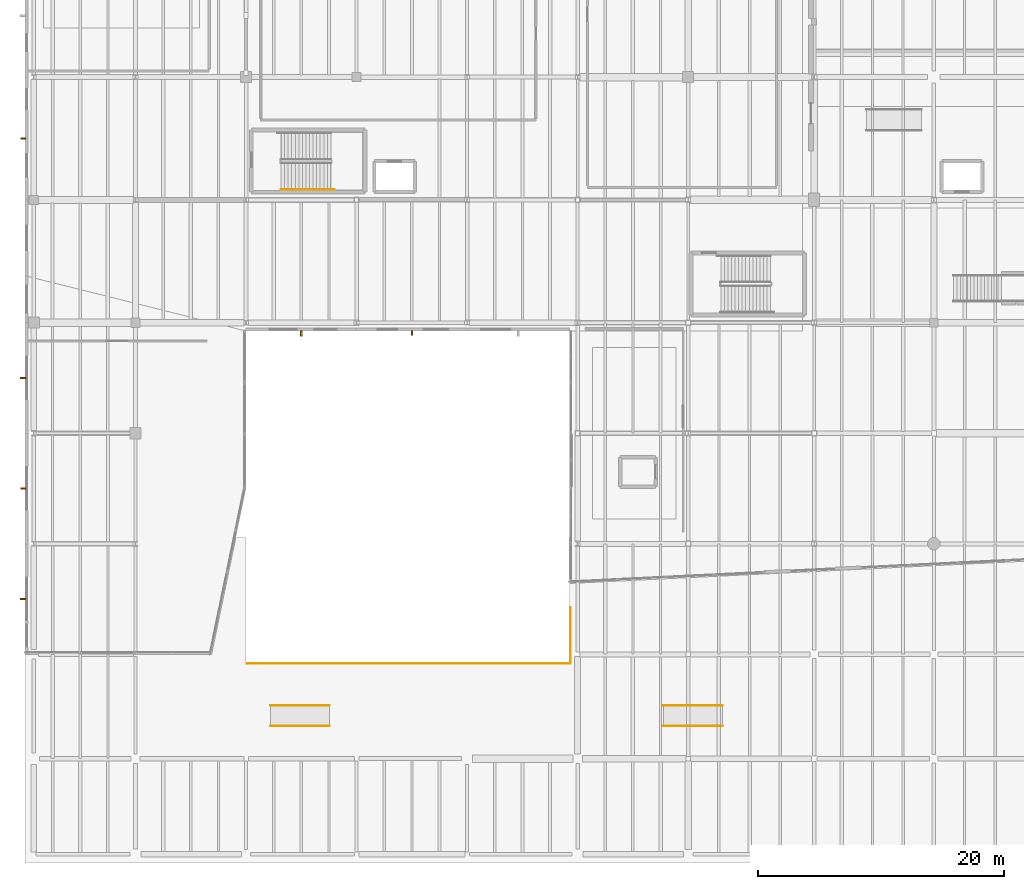
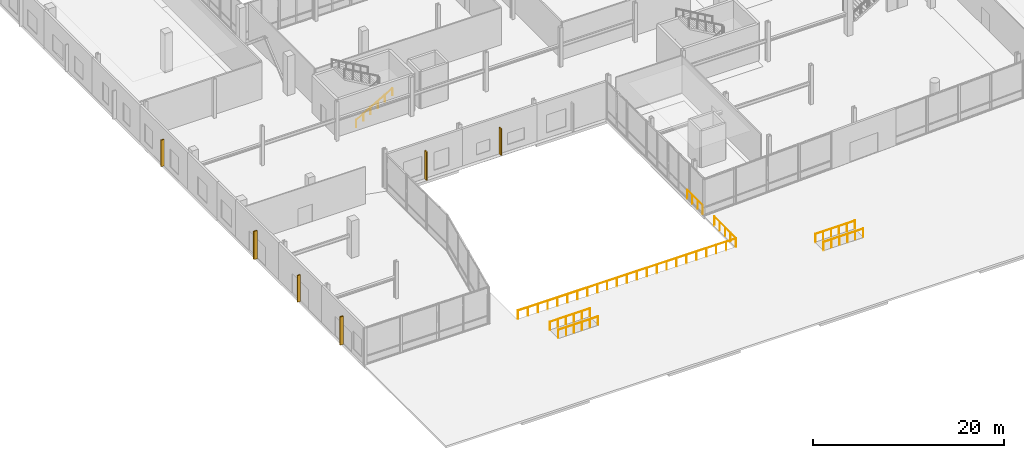
# One storey, part 77 of 88: 7 railings, 6 shading devices.
"""IFC4 building model written with IfcOpenShell, lengths in metres."""

from ifc_helpers import new_model, si_unit, direction, frame, origin, origin_2d, place, context, subcontext, project, spatial, rectangle, circle, extrude, material, type_object, element, save


model = new_model("IFC4")

# Units and contexts
model_context = context("Model", 3, precision=1e-05, world=origin(), true_north=direction((0.0, 1.0)))
body_context = subcontext(model_context, "Body", "Model", "MODEL_VIEW")
ifc_project = project(units=[si_unit("LENGTHUNIT", "METRE"), si_unit("AREAUNIT", "SQUARE_METRE"), si_unit("VOLUMEUNIT", "CUBIC_METRE"), si_unit("PLANEANGLEUNIT", "RADIAN"), si_unit("MASSUNIT", "GRAM", prefix="KILO")], contexts=[model_context])

# Site, building, storey
site_placement = place(None, origin())
site = spatial("IfcSite", under=ifc_project, at=site_placement, CompositionType="ELEMENT")
building_placement = place(site_placement, origin())
building = spatial("IfcBuilding", under=site, at=building_placement, Name="Trimount Lyric Opera House", CompositionType="ELEMENT")
storey_placement = place(building_placement, origin())
storey = spatial("IfcBuildingStorey", under=building, at=storey_placement, Name="L00", CompositionType="ELEMENT", Elevation=0.0)

# Railings
ifc_material_1 = material(Name="Brushed Stainless Steel 316", Category="steel")
railing_type_1 = type_object("IfcRailingType", Name="RL-GRD110", PredefinedType="GUARDRAIL", material=ifc_material_1)
for number, where, name in (
    (1, (20.0, 11.14990234375, 0.0), "Plaza Accessible Threshold Ramp West guard S"),
    (2, (20.0, 12.85009765625, 0.0), "Plaza Accessible Threshold Ramp West guard N"),
    (3, (52.0, 11.14990234375, 0.0), "Plaza Accessible Threshold Ramp East guard S"),
    (4, (52.0, 12.85009765625, 0.0), "Plaza Accessible Threshold Ramp East guard N"),
):
    element("IfcRailing", number, at=place(storey_placement, frame(where)), inside=storey, type_object=railing_type_1, Name=name, PredefinedType="GUARDRAIL", context=body_context, shape_type="SweptSolid", body=[
        extrude(circle(Radius=0.02392578125, at=origin_2d()), frame((0.0, 0.0, 1.076171875), z_axis=(0.999991302772, 0.0, 0.004170656977), x_axis=(0.0, 1.0, 0.0)), (0.0, 0.0, 1.0), 4.800048828125),
        extrude(circle(Radius=0.02099609375, at=origin_2d()), origin(), (0.0, 0.0, 1.0), 1.052001953125),
        extrude(circle(Radius=0.02099609375, at=origin_2d()), frame((0.9599609375, 0.0, 0.00390625)), (0.0, 0.0, 1.0), 1.052001953125),
        extrude(circle(Radius=0.02099609375, at=origin_2d()), frame((1.919921875, 0.0, 0.008056640625)), (0.0, 0.0, 1.0), 1.052001953125),
        extrude(circle(Radius=0.02099609375, at=origin_2d()), frame((2.880126953125, 0.0, 0.011962890625)), (0.0, 0.0, 1.0), 1.052001953125),
        extrude(circle(Radius=0.02099609375, at=origin_2d()), frame((3.840087890625, 0.0, 0.01611328125)), (0.0, 0.0, 1.0), 1.052001953125),
        extrude(circle(Radius=0.02099609375, at=origin_2d()), frame((4.800048828125, 0.0, 0.02001953125)), (0.0, 0.0, 1.0), 1.052001953125),
    ])
ifc_material_2 = material(Name="Laminated Glass and Stainless Steel", Category="steel")
railing_type_2 = type_object("IfcRailingType", Name="RL-GRD115", PredefinedType="GUARDRAIL", material=ifc_material_2)
railing_1_placement = place(storey_placement, frame((18.080078125, 16.239990234375, 0.0)))
element("IfcRailing", 5, at=railing_1_placement, inside=storey, type_object=railing_type_2, Name="Sunken metro forecourt south guardrail", PredefinedType="GUARDRAIL", context=body_context, shape_type="SweptSolid", body=[
    extrude(circle(Radius=0.02392578125, at=origin_2d()), frame((0.0, 0.0, 1.1259765625), z_axis=(1.0, 0.0, 0.0), x_axis=(0.0, 1.0, 0.0)), (0.0, 0.0, 1.0), 26.31982421875),
    extrude(circle(Radius=0.02392578125, at=origin_2d()), frame((26.31982421875, 0.0, 1.1259765625), z_axis=(0.0, 1.0, 0.0), x_axis=(-1.0, 0.0, 0.0)), (0.0, 0.0, 1.0), 4.56005859375),
    extrude(circle(Radius=0.02099609375, at=origin_2d()), origin(), (0.0, 0.0, 1.0), 1.101806640625),
    extrude(circle(Radius=0.02099609375, at=origin_2d()), frame((1.1962890625, 0.0, 0.0)), (0.0, 0.0, 1.0), 1.101806640625),
    extrude(circle(Radius=0.02099609375, at=origin_2d()), frame((2.392822265625, 0.0, 0.0)), (0.0, 0.0, 1.0), 1.101806640625),
    extrude(circle(Radius=0.02099609375, at=origin_2d()), frame((3.589111328125, 0.0, 0.0)), (0.0, 0.0, 1.0), 1.101806640625),
    extrude(circle(Radius=0.02099609375, at=origin_2d()), frame((4.785400390625, 0.0, 0.0)), (0.0, 0.0, 1.0), 1.101806640625),
    extrude(circle(Radius=0.02099609375, at=origin_2d()), frame((5.981689453125, 0.0, 0.0)), (0.0, 0.0, 1.0), 1.101806640625),
    extrude(circle(Radius=0.02099609375, at=origin_2d()), frame((7.17822265625, 0.0, 0.0)), (0.0, 0.0, 1.0), 1.101806640625),
    extrude(circle(Radius=0.02099609375, at=origin_2d()), frame((8.37451171875, 0.0, 0.0)), (0.0, 0.0, 1.0), 1.101806640625),
    extrude(circle(Radius=0.02099609375, at=origin_2d()), frame((9.57080078125, 0.0, 0.0)), (0.0, 0.0, 1.0), 1.101806640625),
    extrude(circle(Radius=0.02099609375, at=origin_2d()), frame((10.76708984375, 0.0, 0.0)), (0.0, 0.0, 1.0), 1.101806640625),
    extrude(circle(Radius=0.02099609375, at=origin_2d()), frame((11.963623046875, 0.0, 0.0)), (0.0, 0.0, 1.0), 1.101806640625),
    extrude(circle(Radius=0.02099609375, at=origin_2d()), frame((13.159912109375, 0.0, 0.0)), (0.0, 0.0, 1.0), 1.101806640625),
    extrude(circle(Radius=0.02099609375, at=origin_2d()), frame((14.356201171875, 0.0, 0.0)), (0.0, 0.0, 1.0), 1.101806640625),
    extrude(circle(Radius=0.02099609375, at=origin_2d()), frame((15.552734375, 0.0, 0.0)), (0.0, 0.0, 1.0), 1.101806640625),
    extrude(circle(Radius=0.02099609375, at=origin_2d()), frame((16.7490234375, 0.0, 0.0)), (0.0, 0.0, 1.0), 1.101806640625),
    extrude(circle(Radius=0.02099609375, at=origin_2d()), frame((17.9453125, 0.0, 0.0)), (0.0, 0.0, 1.0), 1.101806640625),
    extrude(circle(Radius=0.02099609375, at=origin_2d()), frame((19.1416015625, 0.0, 0.0)), (0.0, 0.0, 1.0), 1.101806640625),
    extrude(circle(Radius=0.02099609375, at=origin_2d()), frame((20.338134765625, 0.0, 0.0)), (0.0, 0.0, 1.0), 1.101806640625),
    extrude(circle(Radius=0.02099609375, at=origin_2d()), frame((21.534423828125, 0.0, 0.0)), (0.0, 0.0, 1.0), 1.101806640625),
    extrude(circle(Radius=0.02099609375, at=origin_2d()), frame((22.730712890625, 0.0, 0.0)), (0.0, 0.0, 1.0), 1.101806640625),
    extrude(circle(Radius=0.02099609375, at=origin_2d()), frame((23.927001953125, 0.0, 0.0)), (0.0, 0.0, 1.0), 1.101806640625),
    extrude(circle(Radius=0.02099609375, at=origin_2d()), frame((25.12353515625, 0.0, 0.0)), (0.0, 0.0, 1.0), 1.101806640625),
    extrude(circle(Radius=0.02099609375, at=origin_2d()), frame((26.31982421875, 0.0, 0.0)), (0.0, 0.0, 1.0), 1.101806640625),
    extrude(circle(Radius=0.02099609375, at=origin_2d()), frame((26.31982421875, 1.14013671875, 0.0)), (0.0, 0.0, 1.0), 1.101806640625),
    extrude(circle(Radius=0.02099609375, at=origin_2d()), frame((26.31982421875, 2.280029296875, 0.0)), (0.0, 0.0, 1.0), 1.101806640625),
    extrude(circle(Radius=0.02099609375, at=origin_2d()), frame((26.31982421875, 3.419921875, 0.0)), (0.0, 0.0, 1.0), 1.101806640625),
    extrude(circle(Radius=0.02099609375, at=origin_2d()), frame((26.31982421875, 4.56005859375, 0.0)), (0.0, 0.0, 1.0), 1.101806640625),
])
railing_2_placement = place(storey_placement, frame((44.39990234375, 23.199951171875, 0.0)))
element("IfcRailing", 6, at=railing_2_placement, inside=storey, type_object=railing_type_2, Name="Sunken metro forecourt east guardrail", PredefinedType="GUARDRAIL", context=body_context, shape_type="SweptSolid", body=[
    extrude(circle(Radius=0.02392578125, at=origin_2d()), frame((0.0, 0.0, 1.1259765625), z_axis=(0.0, 1.0, 0.0), x_axis=(-1.0, 0.0, 0.0)), (0.0, 0.0, 1.0), 3.199951171875),
    extrude(circle(Radius=0.02099609375, at=origin_2d()), origin(), (0.0, 0.0, 1.0), 1.101806640625),
    extrude(circle(Radius=0.02099609375, at=origin_2d()), frame((0.0, 1.066650390625, 0.0)), (0.0, 0.0, 1.0), 1.101806640625),
    extrude(circle(Radius=0.02099609375, at=origin_2d()), frame((0.0, 2.13330078125, 0.0)), (0.0, 0.0, 1.0), 1.101806640625),
    extrude(circle(Radius=0.02099609375, at=origin_2d()), frame((0.0, 3.199951171875, 0.0)), (0.0, 0.0, 1.0), 1.101806640625),
])
ifc_material_3 = material(Name="Brushed Stainless Steel 316", Category="steel")
railing_type_3 = type_object("IfcRailingType", Name="RL-HND092", PredefinedType="HANDRAIL", material=ifc_material_3)
railing_3_placement = place(storey_placement, frame((20.85009765625, 54.85009765625, 0.166748046875)))
element("IfcRailing", 7, at=railing_3_placement, inside=storey, type_object=railing_type_3, Name="L00 ST-06 stair handrail 1", PredefinedType="HANDRAIL", context=body_context, shape_type="SweptSolid", body=[
    extrude(circle(Radius=0.0224609375, at=origin_2d()), frame((0.0, 0.0, 0.8974609375), z_axis=(0.866754379005, 0.0, 0.498735246875), x_axis=(0.0, 1.0, 0.0)), (0.0, 0.0, 1.0), 5.0185546875),
    extrude(circle(Radius=0.02099609375, at=origin_2d()), origin(), (0.0, 0.0, 1.0), 0.875),
    extrude(circle(Radius=0.02099609375, at=origin_2d()), frame((0.869873046875, 0.0, 0.50048828125)), (0.0, 0.0, 1.0), 0.875),
    extrude(circle(Radius=0.02099609375, at=origin_2d()), frame((1.739990234375, 0.0, 1.001220703125)), (0.0, 0.0, 1.0), 0.875),
    extrude(circle(Radius=0.02099609375, at=origin_2d()), frame((2.60986328125, 0.0, 1.501708984375)), (0.0, 0.0, 1.0), 0.875),
    extrude(circle(Radius=0.02099609375, at=origin_2d()), frame((3.47998046875, 0.0, 2.00244140625)), (0.0, 0.0, 1.0), 0.875),
    extrude(circle(Radius=0.02099609375, at=origin_2d()), frame((4.349853515625, 0.0, 2.5029296875)), (0.0, 0.0, 1.0), 0.875),
])

# Shading devices
ifc_material_4 = material(Name="Extruded Bronze Vertical Acoustic Fin")
shading_device_type_1 = type_object("IfcShadingDeviceType", Name="SHD-FIN1", PredefinedType="USERDEFINED", material=ifc_material_4)
for number, where, z_axis, x_axis, name in (
    (8, (-0.179931640625, 21.5, 0.0), (0.0, 0.0, 1.0), (1.0, 0.0, 0.0), "Vertical architectural facade fin 001"),
    (9, (-0.179931640625, 39.5, 0.0), (0.0, 0.0, 1.0), (1.0, 0.0, 0.0), "Vertical architectural facade fin 003"),
):
    element("IfcShadingDevice", number, at=place(storey_placement, frame(where, z_axis=z_axis, x_axis=x_axis)), inside=storey, type_object=shading_device_type_1, Name=name, ObjectType="FIN", PredefinedType="USERDEFINED", context=body_context, shape_type="SweptSolid", body=[
        extrude(rectangle(XDim=0.449951171875, YDim=0.139892578125, at=origin_2d()), origin(), (0.0, 0.0, 1.0), 3.60009765625),
    ])
shading_device_1_placement = place(storey_placement, frame((22.5, 43.139892578125, 0.0), z_axis=(0.0, 0.0, 1.0), x_axis=(1.0, 0.0, 0.0)))
element("IfcShadingDevice", 10, at=shading_device_1_placement, inside=storey, type_object=shading_device_type_1, Name="Vertical architectural facade fin 043", ObjectType="FIN", PredefinedType="USERDEFINED", context=body_context, shape_type="SweptSolid", body=[
    extrude(rectangle(XDim=0.139892578125, YDim=0.449951171875, at=origin_2d()), origin(), (0.0, 0.0, 1.0), 3.60009765625),
])
ifc_material_5 = material(Name="Extruded White Aluminium Sun Fin", Category="aluminium")
shading_device_type_2 = type_object("IfcShadingDeviceType", Name="SHD-FIN2", PredefinedType="USERDEFINED", material=ifc_material_5)
for number, where, z_axis, x_axis, name in (
    (11, (-0.14501953125, 30.5, 0.0), (0.0, 0.0, 1.0), (1.0, 0.0, 0.0), "Vertical architectural facade fin 002"),
    (12, (-0.14501953125, 59.0, 0.0), (0.0, 0.0, 1.0), (1.0, 0.0, 0.0), "Vertical architectural facade fin 004"),
):
    element("IfcShadingDevice", number, at=place(storey_placement, frame(where, z_axis=z_axis, x_axis=x_axis)), inside=storey, type_object=shading_device_type_2, Name=name, ObjectType="FIN", PredefinedType="USERDEFINED", context=body_context, shape_type="SweptSolid", body=[
        extrude(rectangle(XDim=0.3798828125, YDim=0.1201171875, at=origin_2d()), origin(), (0.0, 0.0, 1.0), 3.39990234375),
    ])
shading_device_2_placement = place(storey_placement, frame((31.5, 43.175048828125, 0.0), z_axis=(0.0, 0.0, 1.0), x_axis=(1.0, 0.0, 0.0)))
element("IfcShadingDevice", 13, at=shading_device_2_placement, inside=storey, type_object=shading_device_type_2, Name="Vertical architectural facade fin 042", ObjectType="FIN", PredefinedType="USERDEFINED", context=body_context, shape_type="SweptSolid", body=[
    extrude(rectangle(XDim=0.1201171875, YDim=0.3798828125, at=origin_2d()), origin(), (0.0, 0.0, 1.0), 3.39990234375),
])

save(model, "model.ifc")
